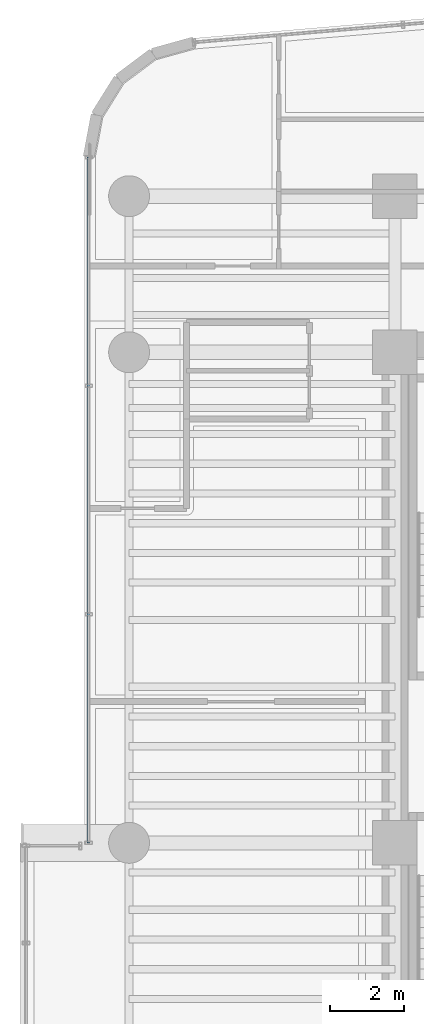
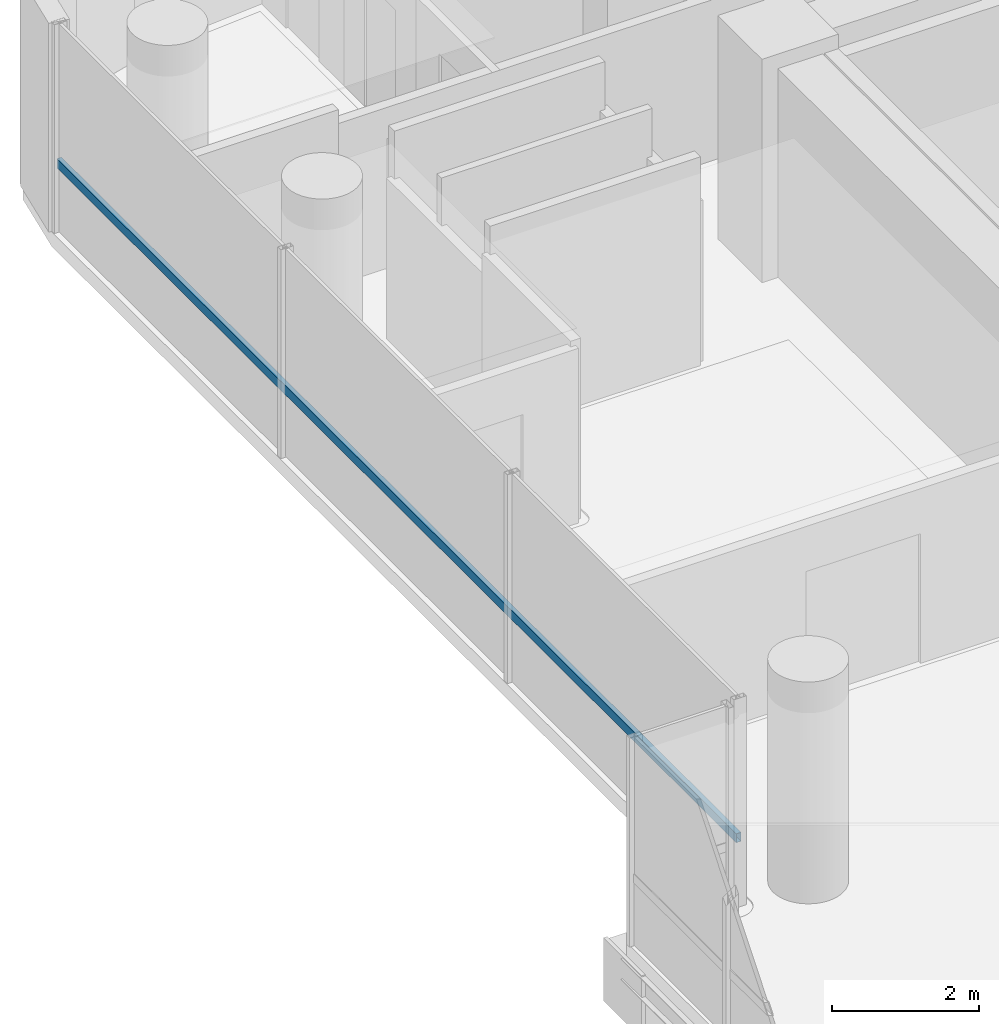
# One storey, part 8 of 37: 1 member, 1 element without a shape of its own.
"""IFC4 building model written with IfcOpenShell, lengths in metres."""

from ifc_helpers import new_model, si_unit, direction, frame, origin, origin_2d, place, context, subcontext, project, spatial, hollow_rectangle, extrude, source, transform, mapped, material, material_profile, profile_set, type_object, element, aggregate, save


model = new_model("IFC4")

# Units and contexts
model_context = context("Model", 3, precision=1e-05, world=origin(), true_north=direction((0.0, 1.0)))
body_context = subcontext(model_context, "Body", "Model", "MODEL_VIEW")
ifc_project = project(units=[si_unit("LENGTHUNIT", "METRE"), si_unit("AREAUNIT", "SQUARE_METRE"), si_unit("VOLUMEUNIT", "CUBIC_METRE"), si_unit("PLANEANGLEUNIT", "RADIAN"), si_unit("MASSUNIT", "GRAM", prefix="KILO")], contexts=[model_context])

# Site, building, storey
site_placement = place(None, origin())
site = spatial("IfcSite", under=ifc_project, at=site_placement, CompositionType="ELEMENT")
building_placement = place(site_placement, origin())
building = spatial("IfcBuilding", under=site, at=building_placement, Name="Valdorenza Pilgrim Sanctuary Tower", CompositionType="ELEMENT")
storey_placement = place(building_placement, frame((0.0, 0.0, 127.89990234375)))
storey = spatial("IfcBuildingStorey", under=building, at=storey_placement, Name="L32", CompositionType="ELEMENT", Elevation=127.89990234375)

# Curtain wall, member
ifc_material_1 = material(Name="Curtain-wall IGU glazing", Category="glass")
curtain_wall_type = type_object("IfcCurtainWallType", Name="CW-SYS-02", PredefinedType="NOTDEFINED", material=ifc_material_1)
curtain_wall_placement = place(storey_placement, origin())
curtain_wall = element("IfcCurtainWall", 1, at=curtain_wall_placement, inside=storey, type_object=curtain_wall_type, Name="L32 Curtain Wall CW-L32-1-1S2", PredefinedType="NOTDEFINED")
ifc_material_2 = material(Name="Anodised aluminium AW-6060", Category="aluminium")
ifc_material_profile = material_profile(ifc_material_2, hollow_rectangle(XDim=0.074951171875, YDim=0.14990234375, WallThickness=0.00390625, at=origin_2d()), Name="ALU-T 150x75x4")
ifc_profile_set = profile_set([ifc_material_profile], Name="Anodised aluminium AW-6060")
member_type = type_object("IfcMemberType", Name="CW-TRN-02", PredefinedType="USERDEFINED", material=ifc_profile_set)
shared_shape = source(origin(), body_context, "Body", "SweptSolid", [
    extrude(hollow_rectangle(XDim=0.074951171875, YDim=0.14990234375, WallThickness=0.00390625, at=origin_2d()), origin(), (0.0, 0.0, 1.0), 18.450439453125),
])
member_placement = place(storey_placement, frame((-30.889892578125, -2.60009765625, 1.1201171875), z_axis=(0.0, 1.0, 0.0), x_axis=(-1.0, 0.0, 0.0)))
member = element("IfcMember", 2, at=member_placement, type_object=member_type, Name="CW-L32-1-1S2 Transom 1", ObjectType="TRANSOM", PredefinedType="USERDEFINED", context=body_context, shape_type="MappedRepresentation", body=[
    mapped(shared_shape, transform((0.0, 0.0, 0.0), x_axis=(1.0, 0.0, 0.0), y_axis=(0.0, 1.0, 0.0), z_axis=(0.0, 0.0, 1.0), scale=1.0)),
])
aggregate(curtain_wall, [member])

save(model, "model.ifc")
